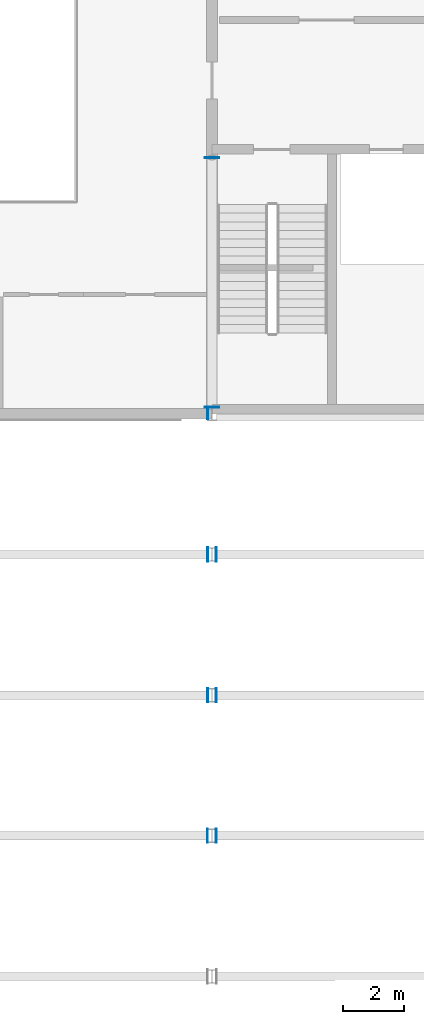
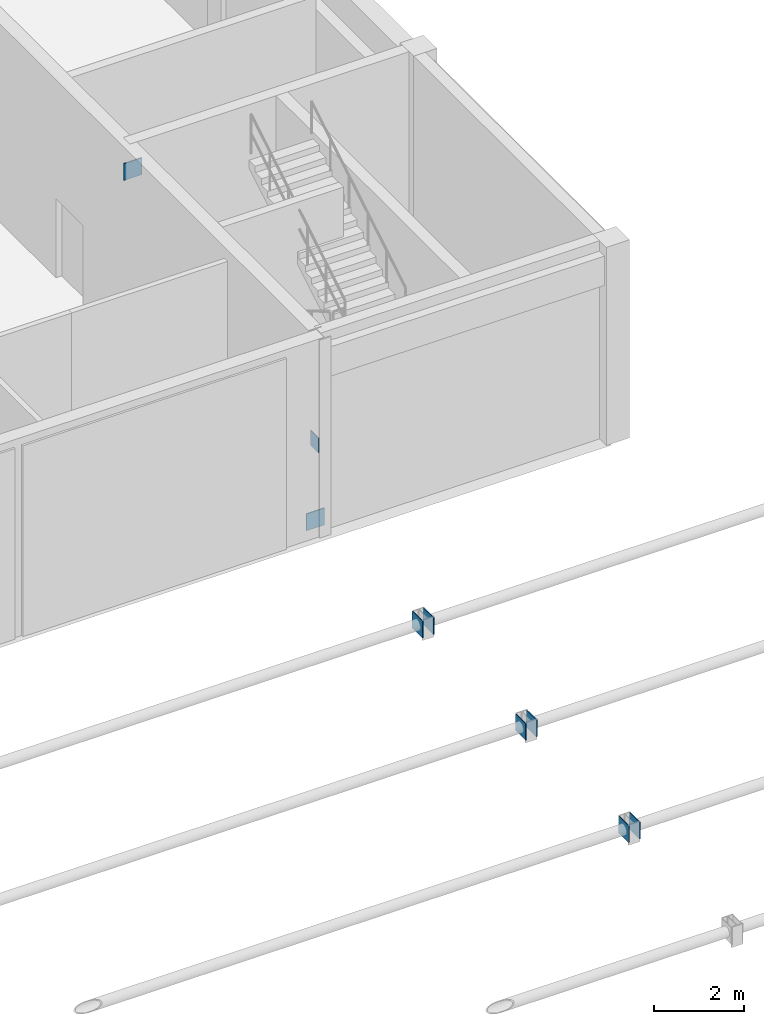
# One storey, part 29 of 38: 9 plates.
"""IFC4 building model written with IfcOpenShell, lengths in metres."""

import ifcopenshell
import ifcopenshell.guid

model = None  # the IFC model being written
_history = None  # IfcOwnerHistory: only IFC2X3 demands one
_inside = {}  # id of a spatial element -> (the spatial element, [elements in it])
_under = {}  # id of a project, library or spatial element -> (it, [spatial elements below it])
_declared = {}  # id of a project -> (the project, [libraries it declares])
_typed = {}  # id of a type object -> (the type object, [elements of that type])
_made_of = {}  # id of a material, layer set ... -> (it, [elements and type objects made of it])


def new_model(schema):
    """Start an empty IFC model of exactly this schema.

    Asked for "IFC4X3", IfcOpenShell would pick the latest addendum, in which some entities
    have other attributes; the version numbers below select the first issue.
    IFC2X3 requires an IfcOwnerHistory on every rooted entity: one is made here for all.
    """
    global model, _history
    if schema == "IFC4X3":
        model = ifcopenshell.file(schema_version=(4, 3, 0, 0))
    else:
        model = ifcopenshell.file(schema=schema)
    _inside.clear()
    _under.clear()
    _declared.clear()
    _typed.clear()
    _made_of.clear()
    _history = None
    if model.schema == "IFC2X3":
        org = make("IfcOrganization", Name="unknown")
        user = make(
            "IfcPersonAndOrganization",
            ThePerson=make("IfcPerson", FamilyName="unknown"),
            TheOrganization=org,
        )
        app = make(
            "IfcApplication",
            ApplicationDeveloper=org,
            Version="unknown",
            ApplicationFullName="unknown",
            ApplicationIdentifier="unknown",
        )
        _history = make(
            "IfcOwnerHistory",
            OwningUser=user,
            OwningApplication=app,
            ChangeAction="ADDED",
            CreationDate=0,
        )
    return model


def make(cls, **values):
    """One entity of the class cls with the attributes given. An attribute that is None is left unset."""
    return model.create_entity(
        cls, **{name: value for name, value in values.items() if value is not None}
    )


def rooted(cls, **values):
    """An entity with a GlobalId (a new one), such as an element, a storey or a relation."""
    return make(cls, GlobalId=ifcopenshell.guid.new(), OwnerHistory=_history, **values)


def si_unit(unit_type, name, prefix=None):
    """IfcSIUnit, for example si_unit("LENGTHUNIT", "METRE", prefix="MILLI")."""
    return make("IfcSIUnit", UnitType=unit_type, Prefix=prefix, Name=name)


def assignment(units):
    """IfcUnitAssignment: the units of a project."""
    return None if units is None else make("IfcUnitAssignment", Units=units)


def point(xyz):
    """IfcCartesianPoint."""
    return None if xyz is None else make("IfcCartesianPoint", Coordinates=xyz)


def direction(xyz):
    """IfcDirection."""
    return None if xyz is None else make("IfcDirection", DirectionRatios=xyz)


def frame(location, z_axis=None, x_axis=None):
    """IfcAxis2Placement3D, a coordinate frame: its origin and axes. An axis left out is left unset."""
    return make(
        "IfcAxis2Placement3D",
        Location=point(location),
        Axis=direction(z_axis),
        RefDirection=direction(x_axis),
    )


def frame_2d(location, x_axis=None):
    """IfcAxis2Placement2D, a coordinate frame in the plane: its origin and x axis."""
    return make(
        "IfcAxis2Placement2D", Location=point(location), RefDirection=direction(x_axis)
    )


def origin():
    """The frame at (0, 0, 0) with its axes left unset."""
    return frame((0.0, 0.0, 0.0))


def origin_2d():
    """The frame at (0, 0) in the plane with its x axis left unset."""
    return frame_2d((0.0, 0.0))


def place(relative_to, where):
    """IfcLocalPlacement: puts the frame where relative to a parent placement (None: the world)."""
    return make(
        "IfcLocalPlacement", PlacementRelTo=relative_to, RelativePlacement=where
    )


def context(
    kind, dimensions, precision=None, world=None, true_north=None, identifier=None
):
    """IfcGeometricRepresentationContext, for example the 3D "Model" context."""
    return make(
        "IfcGeometricRepresentationContext",
        ContextIdentifier=identifier,
        ContextType=kind,
        CoordinateSpaceDimension=dimensions,
        Precision=precision,
        WorldCoordinateSystem=world,
        TrueNorth=true_north,
    )


def subcontext(parent, identifier, kind, view, scale=None):
    """IfcGeometricRepresentationSubContext, for example "Body" below "Model"."""
    return make(
        "IfcGeometricRepresentationSubContext",
        ContextIdentifier=identifier,
        ContextType=kind,
        ParentContext=parent,
        TargetScale=scale,
        TargetView=view,
    )


def project(units=None, contexts=None):
    """IfcProject with its units and contexts."""
    return rooted(
        "IfcProject",
        Name="project",
        RepresentationContexts=contexts,
        UnitsInContext=assignment(units),
    )


def spatial(cls, under=None, at=None, **own):
    """A site, building, storey or space (cls), placed at a placement, below another one or the project."""
    s = rooted(cls, ObjectPlacement=at, **own)
    if under is not None:
        _under.setdefault(under.id(), (under, []))[1].append(s)
    return s


def profile(cls, at=None, kind="AREA", **sizes):
    """A parametric profile (cls). Its sizes go by their IFC names, for example OverallWidth=200.0."""
    return make(cls, ProfileType=kind, Position=at, **sizes)


def rectangle(**sizes):
    """IfcRectangleProfileDef."""
    return profile("IfcRectangleProfileDef", **sizes)


def extrude(swept, where, along, depth):
    """IfcExtrudedAreaSolid: the profile swept, set in the frame where, extruded along a direction by depth."""
    return make(
        "IfcExtrudedAreaSolid",
        SweptArea=swept,
        Position=where,
        ExtrudedDirection=direction(along),
        Depth=depth,
    )


def shape(context_of_items, identifier, shape_type, items):
    """IfcShapeRepresentation: the items that make up one representation, for example the "Body"."""
    return make(
        "IfcShapeRepresentation",
        ContextOfItems=context_of_items,
        RepresentationIdentifier=identifier,
        RepresentationType=shape_type,
        Items=items,
    )


def material(Name=None, Category=None):
    """IfcMaterial."""
    return make("IfcMaterial", Name=Name, Category=Category)


def layer(
    of_material, thickness, ventilated=None, Name=None, Category=None, Priority=None
):
    """IfcMaterialLayer: one layer of a wall or slab, of a material (None: an air gap)."""
    return make(
        "IfcMaterialLayer",
        Material=of_material,
        LayerThickness=thickness,
        IsVentilated=ventilated,
        Name=Name,
        Category=Category,
        Priority=Priority,
    )


def layer_set(layers, Name=None):
    """IfcMaterialLayerSet."""
    return make("IfcMaterialLayerSet", MaterialLayers=layers, LayerSetName=Name)


def made_of(thing, what):
    """Note that an element or type object is made of a material, layer set ...; save() writes the relation."""
    if what is not None:
        _made_of.setdefault(what.id(), (what, []))[1].append(thing)
    return thing


def type_object(cls, material=None, **own):
    """A type object (cls), such as IfcWallType, which elements share."""
    return made_of(rooted(cls, **own), material)


def element(
    cls,
    number,
    at=None,
    inside=None,
    cuts=None,
    type_object=None,
    material=None,
    context=None,
    identifier="Body",
    shape_type=None,
    held_by="IfcProductDefinitionShape",
    body=None,
    shapes=None,
    **own,
):
    """One element of the class cls, such as IfcWall. Its Tag is "e" and its number.

    at: its placement. inside: the storey or other place that contains it. cuts: it is an
    opening in that element (IfcRelVoidsElement). A single representation is given by context,
    identifier, shape_type and body (its items); several are given by shapes. held_by: the class
    of the entity that holds the representations. save() writes the other relations.
    """
    e = rooted(cls, Tag="e%d" % number, ObjectPlacement=at, **own)
    if body is not None:
        shapes = [shape(context, identifier, shape_type, body)]
    if shapes is not None:
        e.Representation = make(held_by, Representations=shapes)
    if inside is not None:
        _inside.setdefault(inside.id(), (inside, []))[1].append(e)
    if cuts is not None:
        rooted(
            "IfcRelVoidsElement", RelatingBuildingElement=cuts, RelatedOpeningElement=e
        )
    if type_object is not None:
        _typed.setdefault(type_object.id(), (type_object, []))[1].append(e)
    return made_of(e, material)


def aggregate(whole, parts):
    """IfcRelAggregates: a whole, such as a stair, and the parts it consists of."""
    return rooted("IfcRelAggregates", RelatingObject=whole, RelatedObjects=parts)


def save(model, path):
    """Write the relations noted so far, then the file.

    IfcRelAggregates (storeys below a building ...), IfcRelContainedInSpatialStructure (elements
    in a storey), IfcRelDefinesByType, IfcRelAssociatesMaterial and IfcRelDeclares: one each for
    every whole, place, type object, material and project.
    """
    for whole, parts in _under.values():
        aggregate(whole, parts)
    for where, things in _inside.values():
        rooted(
            "IfcRelContainedInSpatialStructure",
            RelatedElements=things,
            RelatingStructure=where,
        )
    for kind, things in _typed.values():
        rooted("IfcRelDefinesByType", RelatedObjects=things, RelatingType=kind)
    for what, things in _made_of.values():
        rooted("IfcRelAssociatesMaterial", RelatedObjects=things, RelatingMaterial=what)
    for by, libraries in _declared.values():
        rooted("IfcRelDeclares", RelatingContext=by, RelatedDefinitions=libraries)
    model.write(path)


model = new_model("IFC4")

# Units and contexts
model_context = context("Model", 3, precision=1e-05, world=origin(), true_north=direction((0.0, 1.0)))
body_context = subcontext(model_context, "Body", "Model", "MODEL_VIEW")
ifc_project = project(units=[si_unit("LENGTHUNIT", "METRE"), si_unit("AREAUNIT", "SQUARE_METRE"), si_unit("VOLUMEUNIT", "CUBIC_METRE"), si_unit("PLANEANGLEUNIT", "RADIAN"), si_unit("MASSUNIT", "GRAM", prefix="KILO")], contexts=[model_context])

# Site, building, storey
site_placement = place(None, origin())
site = spatial("IfcSite", under=ifc_project, at=site_placement, CompositionType="ELEMENT")
building_placement = place(site_placement, origin())
building = spatial("IfcBuilding", under=site, at=building_placement, Name="Muzn Square Opera House", CompositionType="ELEMENT")
storey_placement = place(building_placement, frame((0.0, 0.0, 18.0)))
storey = spatial("IfcBuildingStorey", under=building, at=storey_placement, Name="L04", CompositionType="ELEMENT", Elevation=18.0)

# Plates
ifc_material = material(Name="Steel S355", Category="steel")
ifc_layer_1 = layer(ifc_material, 0.01806640625, Name="Steel S355", Category="steel")
ifc_layer_set_1 = layer_set([ifc_layer_1], Name="Steel S355")
plate_type_1 = type_object("IfcPlateType", Name="Gusset Plate 18mm 460x460", PredefinedType="USERDEFINED", material=ifc_layer_set_1)
plate_1_placement = place(storey_placement, frame((102.860107421875, 58.800048828125, 0.070068359375), z_axis=(0.0, 0.0, 1.0), x_axis=(1.0, 0.0, 0.0)))
element("IfcPlate", 1, at=plate_1_placement, inside=storey, type_object=plate_type_1, Name="Vault Tie End Gusset Plate V2-08-E", ObjectType="GUSSET PLATE", PredefinedType="USERDEFINED", context=body_context, shape_type="SweptSolid", body=[
    extrude(rectangle(XDim=0.01806640625, YDim=0.4599609375, at=origin_2d()), origin(), (0.0, 0.0, 1.0), 0.4599609375),
])
ifc_layer_2 = layer(ifc_material, 0.02001953125, Name="Steel S355", Category="steel")
ifc_layer_set_2 = layer_set([ifc_layer_2], Name="Steel S355")
plate_type_2 = type_object("IfcPlateType", Name="Gusset Plate 20mm 460x460", PredefinedType="USERDEFINED", material=ifc_layer_set_2)
for number, where, z_axis, x_axis, name in (
    (2, (102.860107421875, 63.39990234375, 0.070068359375), (0.0, 0.0, 1.0), (1.0, 0.0, 0.0), "Vault Tie End Gusset Plate V2-09-E"),
    (3, (103.139892578125, 58.800048828125, 0.070068359375), (0.0, 0.0, 1.0), (1.0, 0.0, 0.0), "Vault Tie End Gusset Plate V3-08-W"),
):
    element("IfcPlate", number, at=place(storey_placement, frame(where, z_axis=z_axis, x_axis=x_axis)), inside=storey, type_object=plate_type_2, Name=name, ObjectType="GUSSET PLATE", PredefinedType="USERDEFINED", context=body_context, shape_type="SweptSolid", body=[
        extrude(rectangle(XDim=0.02001953125, YDim=0.4599609375, at=origin_2d()), origin(), (0.0, 0.0, 1.0), 0.4599609375),
    ])
ifc_layer_3 = layer(ifc_material, 0.02392578125, Name="Steel S355", Category="steel")
ifc_layer_set_3 = layer_set([ifc_layer_3], Name="Steel S355")
plate_type_3 = type_object("IfcPlateType", Name="Gusset Plate 24mm 460x460", PredefinedType="USERDEFINED", material=ifc_layer_set_3)
for number, where, z_axis, x_axis, name in (
    (4, (102.860107421875, 68.0, 0.070068359375), (0.0, 0.0, 1.0), (1.0, 0.0, 0.0), "Vault Tie End Gusset Plate V2-10-E"),
    (5, (103.139892578125, 63.39990234375, 0.070068359375), (0.0, 0.0, 1.0), (1.0, 0.0, 0.0), "Vault Tie End Gusset Plate V3-09-W"),
):
    element("IfcPlate", number, at=place(storey_placement, frame(where, z_axis=z_axis, x_axis=x_axis)), inside=storey, type_object=plate_type_3, Name=name, ObjectType="GUSSET PLATE", PredefinedType="USERDEFINED", context=body_context, shape_type="SweptSolid", body=[
        extrude(rectangle(XDim=0.02392578125, YDim=0.4599609375, at=origin_2d()), origin(), (0.0, 0.0, 1.0), 0.4599609375),
    ])
ifc_layer_4 = layer(ifc_material, 0.028076171875, Name="Steel S355", Category="steel")
ifc_layer_set_4 = layer_set([ifc_layer_4], Name="Steel S355")
plate_type_4 = type_object("IfcPlateType", Name="Gusset Plate 28mm 460x460", PredefinedType="USERDEFINED", material=ifc_layer_set_4)
plate_2_placement = place(storey_placement, frame((103.139892578125, 68.0, 0.070068359375), z_axis=(0.0, 0.0, 1.0), x_axis=(1.0, 0.0, 0.0)))
element("IfcPlate", 6, at=plate_2_placement, inside=storey, type_object=plate_type_4, Name="Vault Tie End Gusset Plate V3-10-W", ObjectType="GUSSET PLATE", PredefinedType="USERDEFINED", context=body_context, shape_type="SweptSolid", body=[
    extrude(rectangle(XDim=0.028076171875, YDim=0.4599609375, at=origin_2d()), origin(), (0.0, 0.0, 1.0), 0.4599609375),
])
for number, where, z_axis, x_axis, name in (
    (7, (103.0, 72.820068359375, -0.030029296875), (0.0, 0.0, 1.0), (1.0, 0.0, 0.0), "Lateral Brace End Cap Plate SBRC-02-A"),
    (8, (103.0, 80.97998046875, 4.570068359375), (0.0, 0.0, 1.0), (1.0, 0.0, 0.0), "Lateral Brace End Cap Plate SBRC-02-B"),
):
    element("IfcPlate", number, at=place(storey_placement, frame(where, z_axis=z_axis, x_axis=x_axis)), inside=storey, type_object=plate_type_4, Name=name, ObjectType="GUSSET PLATE", PredefinedType="USERDEFINED", context=body_context, shape_type="SweptSolid", body=[
        extrude(rectangle(XDim=0.4599609375, YDim=0.028076171875, at=origin_2d()), origin(), (0.0, 0.0, 1.0), 0.4599609375),
    ])
ifc_layer_5 = layer(ifc_material, 0.02392578125, Name="Steel S355", Category="steel")
ifc_layer_set_5 = layer_set([ifc_layer_5], Name="Steel S355")
plate_type_5 = type_object("IfcPlateType", Name="Proscenium End Plate 24mm 360x400", PredefinedType="USERDEFINED", material=ifc_layer_set_5)
plate_3_placement = place(storey_placement, frame((102.860107421875, 72.60009765625, 2.300048828125), z_axis=(0.0, 0.0, 1.0), x_axis=(1.0, 0.0, 0.0)))
element("IfcPlate", 9, at=plate_3_placement, inside=storey, type_object=plate_type_5, Name="Proscenium Chord End Plate PRCH-02-E", ObjectType="GUSSET PLATE", PredefinedType="USERDEFINED", context=body_context, shape_type="SweptSolid", body=[
    extrude(rectangle(XDim=0.02392578125, YDim=0.360107421875, at=origin_2d()), origin(), (0.0, 0.0, 1.0), 0.39990234375),
])

save(model, "model.ifc")
